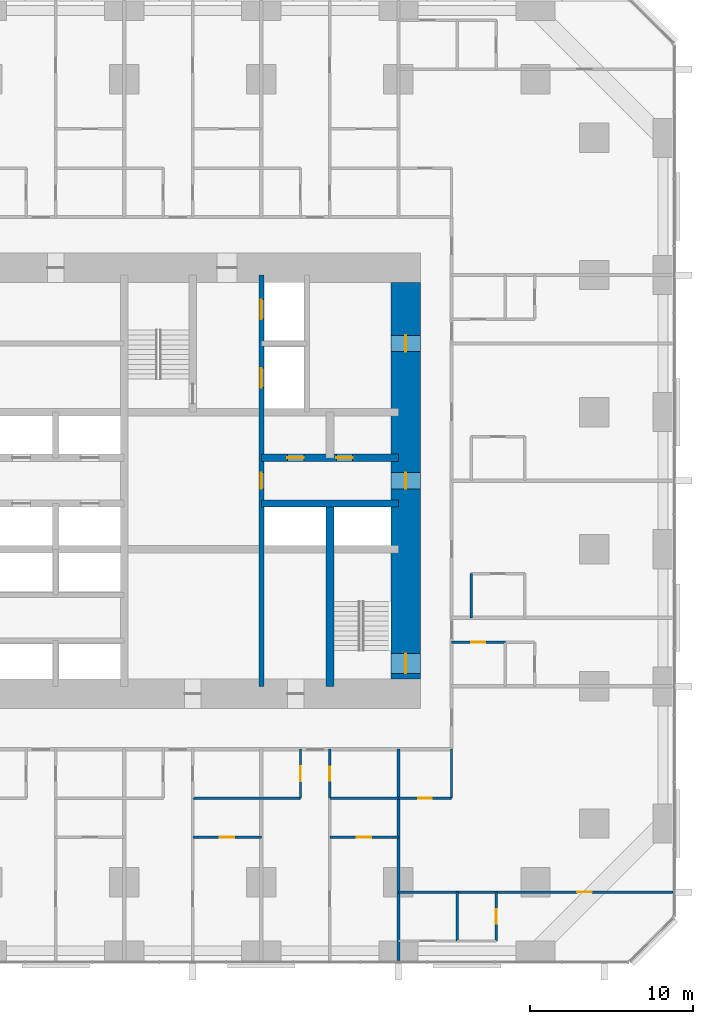
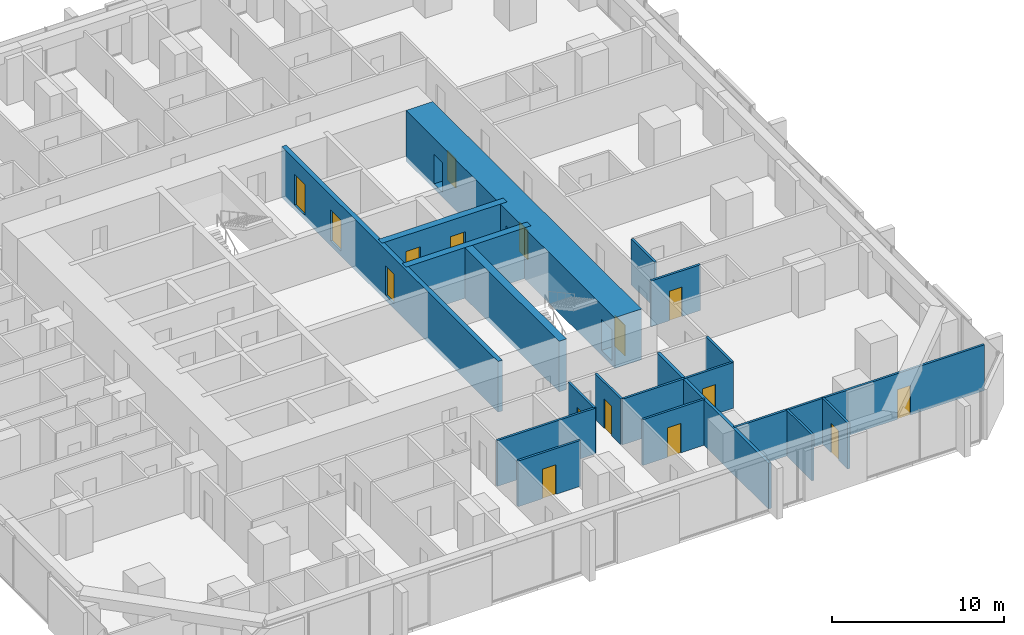
# One storey, part 13 of 17: 19 walls, 16 doors, 16 openings.
"""IFC4 building model written with IfcOpenShell, lengths in metres."""

from ifc_helpers import new_model, si_unit, direction, frame, frame_2d, origin, place, context, subcontext, project, spatial, rectangle, extrude, material, layer, layer_set, type_object, element, fill, save


model = new_model("IFC4")

# Units and contexts
model_context = context("Model", 3, precision=1e-05, world=origin(), true_north=direction((0.0, 1.0)))
body_context = subcontext(model_context, "Body", "Model", "MODEL_VIEW")
ifc_project = project(units=[si_unit("LENGTHUNIT", "METRE"), si_unit("AREAUNIT", "SQUARE_METRE"), si_unit("VOLUMEUNIT", "CUBIC_METRE"), si_unit("PLANEANGLEUNIT", "RADIAN"), si_unit("MASSUNIT", "GRAM", prefix="KILO")], contexts=[model_context])

# Site, building, storey
site_placement = place(None, origin())
site = spatial("IfcSite", under=ifc_project, at=site_placement, CompositionType="ELEMENT")
building_placement = place(site_placement, origin())
building = spatial("IfcBuilding", under=site, at=building_placement, Name="Dunama Terrace Hotel", CompositionType="ELEMENT")
storey_placement = place(building_placement, frame((0.0, 0.0, 45.0)))
storey = spatial("IfcBuildingStorey", under=building, at=storey_placement, Name="L10", CompositionType="ELEMENT", Elevation=45.0)

# Wall, opening, door
ifc_material_1 = material(Name="Gypsum board partition", Category="masonry")
ifc_layer_1 = layer(ifc_material_1, 0.14990234375)
ifc_layer_set_1 = layer_set([ifc_layer_1], Name="Bathroom partition 150")
wall_type_1 = type_object("IfcWallType", Name="Bathroom partition 150", PredefinedType="PARTITIONING", material=ifc_layer_set_1)
wall_1_placement = place(storey_placement, frame((37.800048828125, 9.949951171875, 0.0), z_axis=(0.0, 0.0, 1.0), x_axis=(0.0, 1.0, 0.0)))
wall_1 = element("IfcWall", 1, at=wall_1_placement, inside=storey, type_object=wall_type_1, Name="Bathroom partition 150 L10", PredefinedType="PARTITIONING", context=body_context, shape_type="SweptSolid", body=[
    extrude(rectangle(XDim=3.0, YDim=0.14990234375, at=frame_2d((1.5, 0.0))), origin(), (0.0, 0.0, 1.0), 3.25),
])
opening_1_placement = place(wall_1_placement, frame((1.074951171875, 0.0, 0.0)))
opening_1 = element("IfcOpeningElement", 2, at=opening_1_placement, cuts=wall_1, Name="Opening L10-11-021", PredefinedType="OPENING", context=body_context, shape_type="SweptSolid", body=[
    extrude(rectangle(XDim=0.85009765625, YDim=2.10009765625, at=frame_2d((0.425048828125, 1.050048828125))), frame((0.0, 0.0849609375, 0.0), z_axis=(0.0, -1.0, 0.0), x_axis=(1.0, 0.0, 0.0)), (0.0, 0.0, 1.0), 0.169921875),
])
ifc_material_2 = material(Name="Timber door with steel frame", Category="steel")
door_type_1 = type_object("IfcDoorType", Name="Bathroom door 850", OperationType="SINGLE_SWING_LEFT", PredefinedType="DOOR", material=ifc_material_2)
door_1_placement = place(opening_1_placement, frame((0.85009765625, 0.0, 0.0), z_axis=(0.0, 0.0, 1.0), x_axis=(-1.0, 0.0, 0.0)))
door_1 = element("IfcDoor", 3, at=door_1_placement, inside=storey, type_object=door_type_1, Name="Door to residence bathroom L10-11-021, type D2", OperationType="SINGLE_SWING_LEFT", OverallHeight=2.10009765625, OverallWidth=0.85009765625, PredefinedType="DOOR", context=body_context, shape_type="SweptSolid", body=[
    extrude(rectangle(XDim=0.85009765625, YDim=2.10009765625, at=frame_2d((0.425048828125, 1.050048828125))), frame((0.0, 0.025146484375, 0.0), z_axis=(0.0, -1.0, 0.0), x_axis=(1.0, 0.0, 0.0)), (0.0, 0.0, 1.0), 0.050048828125),
])
fill(opening_1, door_1)

# Walls
wall_2_placement = place(storey_placement, frame((45.25, 9.949951171875, 0.0), z_axis=(0.0, 0.0, 1.0), x_axis=(0.0, 1.0, 0.0)))
element("IfcWall", 4, at=wall_2_placement, inside=storey, type_object=wall_type_1, Name="Bathroom partition 150 L10", PredefinedType="PARTITIONING", context=body_context, shape_type="SweptSolid", body=[
    extrude(rectangle(XDim=3.0, YDim=0.14990234375, at=frame_2d((1.5, 0.0))), origin(), (0.0, 0.0, 1.0), 3.25),
])
wall_3_placement = place(storey_placement, frame((46.449951171875, 21.0, 0.0), z_axis=(0.0, 0.0, 1.0), x_axis=(0.0, 1.0, 0.0)))
element("IfcWall", 5, at=wall_3_placement, inside=storey, type_object=wall_type_1, Name="Bathroom partition 150 L10", PredefinedType="PARTITIONING", context=body_context, shape_type="SweptSolid", body=[
    extrude(rectangle(XDim=2.699951171875, YDim=0.14990234375, at=frame_2d((1.35009765625, 0.0))), origin(), (0.0, 0.0, 1.0), 3.25),
])

# Wall, opening, door
wall_4_placement = place(storey_placement, frame((42.0, 9.949951171875, 0.0), z_axis=(0.0, 0.0, 1.0), x_axis=(1.0, 0.0, 0.0)))
wall_4 = element("IfcWall", 6, at=wall_4_placement, inside=storey, type_object=wall_type_1, Name="Bathroom partition 150 L10", PredefinedType="PARTITIONING", context=body_context, shape_type="SweptSolid", body=[
    extrude(rectangle(XDim=3.25, YDim=0.14990234375, at=frame_2d((1.625, 0.0))), origin(), (0.0, 0.0, 1.0), 3.25),
])
opening_2_placement = place(wall_4_placement, frame((1.199951171875, 0.0, 0.0)))
opening_2 = element("IfcOpeningElement", 7, at=opening_2_placement, cuts=wall_4, Name="Opening L10-11-073", PredefinedType="OPENING", context=body_context, shape_type="SweptSolid", body=[
    extrude(rectangle(XDim=0.85009765625, YDim=2.10009765625, at=frame_2d((0.425048828125, 1.050048828125))), frame((0.0, 0.0849609375, 0.0), z_axis=(0.0, -1.0, 0.0), x_axis=(1.0, 0.0, 0.0)), (0.0, 0.0, 1.0), 0.169921875),
])
door_2_placement = place(opening_2_placement, origin())
door_2 = element("IfcDoor", 8, at=door_2_placement, inside=storey, type_object=door_type_1, Name="Door to powder room L10-11-073, type D2", OperationType="SINGLE_SWING_LEFT", OverallHeight=2.10009765625, OverallWidth=0.85009765625, PredefinedType="DOOR", context=body_context, shape_type="SweptSolid", body=[
    extrude(rectangle(XDim=0.85009765625, YDim=2.10009765625, at=frame_2d((0.425048828125, 1.050048828125))), frame((0.0, 0.02490234375, 0.0), z_axis=(0.0, -1.0, 0.0), x_axis=(1.0, 0.0, 0.0)), (0.0, 0.0, 1.0), 0.050048828125),
])
fill(opening_2, door_2)

wall_5_placement = place(storey_placement, frame((45.25, 19.5, 0.0), z_axis=(0.0, 0.0, 1.0), x_axis=(1.0, 0.0, 0.0)))
wall_5 = element("IfcWall", 9, at=wall_5_placement, inside=storey, type_object=wall_type_1, Name="Bathroom partition 150 L10", PredefinedType="PARTITIONING", context=body_context, shape_type="SweptSolid", body=[
    extrude(rectangle(XDim=3.300048828125, YDim=0.14990234375, at=frame_2d((1.64990234375, 0.0))), origin(), (0.0, 0.0, 1.0), 3.25),
])
opening_3_placement = place(wall_5_placement, frame((1.22509765625, 0.0, 0.0)))
opening_3 = element("IfcOpeningElement", 10, at=opening_3_placement, cuts=wall_5, Name="Opening L10-11-025", PredefinedType="OPENING", context=body_context, shape_type="SweptSolid", body=[
    extrude(rectangle(XDim=0.85009765625, YDim=2.10009765625, at=frame_2d((0.425048828125, 1.050048828125))), frame((0.0, 0.0849609375, 0.0), z_axis=(0.0, -1.0, 0.0), x_axis=(1.0, 0.0, 0.0)), (0.0, 0.0, 1.0), 0.169921875),
])
door_3_placement = place(opening_3_placement, frame((0.85009765625, 0.0, 0.0), z_axis=(0.0, 0.0, 1.0), x_axis=(-1.0, 0.0, 0.0)))
door_3 = element("IfcDoor", 11, at=door_3_placement, inside=storey, type_object=door_type_1, Name="Door to en-suite bathroom L10-11-025, type D2", OperationType="SINGLE_SWING_RIGHT", OverallHeight=2.10009765625, OverallWidth=0.85009765625, PredefinedType="DOOR", context=body_context, shape_type="SweptSolid", body=[
    extrude(rectangle(XDim=0.85009765625, YDim=2.10009765625, at=frame_2d((0.425048828125, 1.050048828125))), frame((0.0, 0.025146484375, 0.0), z_axis=(0.0, -1.0, 0.0), x_axis=(1.0, 0.0, 0.0)), (0.0, 0.0, 1.0), 0.050048828125),
])
fill(opening_3, door_3)

# Wall, openings, doors
ifc_material_3 = material(Name="Concrete C50/60", Category="concrete")
ifc_layer_2 = layer(ifc_material_3, 0.300048828125)
ifc_layer_set_2 = layer_set([ifc_layer_2], Name="Core inner wall 300")
wall_type_2 = type_object("IfcWallType", Name="Core inner wall 300", PredefinedType="SHEAR", material=ifc_layer_set_2)
wall_6_placement = place(storey_placement, frame((33.60009765625, 16.800048828125, -0.35009765625), z_axis=(0.0, 0.0, 1.0), x_axis=(0.0, 1.0, 0.0)))
wall_6 = element("IfcWall", 12, at=wall_6_placement, inside=storey, type_object=wall_type_2, Name="Core inner wall 300 L10", PredefinedType="SHEAR", context=body_context, shape_type="SweptSolid", body=[
    extrude(rectangle(XDim=25.199951171875, YDim=0.300048828125, at=frame_2d((12.60009765625, 0.0))), origin(), (0.0, 0.0, 1.0), 3.60009765625),
])
opening_4_placement = place(wall_6_placement, frame((22.5, 0.0, 0.35009765625)))
opening_4 = element("IfcOpeningElement", 13, at=opening_4_placement, cuts=wall_6, Name="Opening L10-11-007", PredefinedType="OPENING", context=body_context, shape_type="SweptSolid", body=[
    extrude(rectangle(XDim=1.199951171875, YDim=2.199951171875, at=frame_2d((0.60009765625, 1.10009765625))), frame((0.0, 0.159912109375, 0.0), z_axis=(0.0, -1.0, 0.0), x_axis=(1.0, 0.0, 0.0)), (0.0, 0.0, 1.0), 0.320068359375),
])
opening_5_placement = place(wall_6_placement, frame((18.300048828125, 0.0, 0.35009765625)))
opening_5 = element("IfcOpeningElement", 14, at=opening_5_placement, cuts=wall_6, Name="Opening L10-11-008", PredefinedType="OPENING", context=body_context, shape_type="SweptSolid", body=[
    extrude(rectangle(XDim=1.199951171875, YDim=2.199951171875, at=frame_2d((0.60009765625, 1.10009765625))), frame((0.0, 0.159912109375, 0.0), z_axis=(0.0, -1.0, 0.0), x_axis=(1.0, 0.0, 0.0)), (0.0, 0.0, 1.0), 0.320068359375),
])
opening_6_placement = place(wall_6_placement, frame((12.10009765625, 0.0, 0.35009765625)))
opening_6 = element("IfcOpeningElement", 15, at=opening_6_placement, cuts=wall_6, Name="Opening L10-11-091", PredefinedType="OPENING", context=body_context, shape_type="SweptSolid", body=[
    extrude(rectangle(XDim=1.0, YDim=2.10009765625, at=frame_2d((0.5, 1.050048828125))), frame((0.0, 0.159912109375, 0.0), z_axis=(0.0, -1.0, 0.0), x_axis=(1.0, 0.0, 0.0)), (0.0, 0.0, 1.0), 0.320068359375),
])
ifc_material_4 = material(Name="Stainless steel lift door", Category="steel")
door_type_2 = type_object("IfcDoorType", Name="Firefighting lift landing door 1200", OperationType="DOUBLE_DOOR_SLIDING", PredefinedType="DOOR", material=ifc_material_4)
door_4_placement = place(opening_4_placement, origin())
door_4 = element("IfcDoor", 16, at=door_4_placement, inside=storey, type_object=door_type_2, Name="Landing door FL1 L10-11-007, type LD2", OperationType="DOUBLE_DOOR_SLIDING", OverallHeight=2.199951171875, OverallWidth=1.199951171875, PredefinedType="DOOR", context=body_context, shape_type="SweptSolid", body=[
    extrude(rectangle(XDim=1.199951171875, YDim=2.199951171875, at=frame_2d((0.60009765625, 1.10009765625))), frame((0.0, 0.02490234375, 0.0), z_axis=(0.0, -1.0, 0.0), x_axis=(1.0, 0.0, 0.0)), (0.0, 0.0, 1.0), 0.050048828125),
])
fill(opening_4, door_4)
door_5_placement = place(opening_5_placement, origin())
door_5 = element("IfcDoor", 17, at=door_5_placement, inside=storey, type_object=door_type_2, Name="Landing door FL2 L10-11-008, type LD2", OperationType="DOUBLE_DOOR_SLIDING", OverallHeight=2.199951171875, OverallWidth=1.199951171875, PredefinedType="DOOR", context=body_context, shape_type="SweptSolid", body=[
    extrude(rectangle(XDim=1.199951171875, YDim=2.199951171875, at=frame_2d((0.60009765625, 1.10009765625))), frame((0.0, 0.02490234375, 0.0), z_axis=(0.0, -1.0, 0.0), x_axis=(1.0, 0.0, 0.0)), (0.0, 0.0, 1.0), 0.050048828125),
])
fill(opening_5, door_5)
ifc_material_5 = material(Name="Timber door with steel frame", Category="steel")
door_type_3 = type_object("IfcDoorType", Name="Service door 1000", OperationType="SINGLE_SWING_LEFT", PredefinedType="DOOR", material=ifc_material_5)
door_6_placement = place(opening_6_placement, origin())
door_6 = element("IfcDoor", 18, at=door_6_placement, inside=storey, type_object=door_type_3, Name="Door to linen and housekeeping room L10-11-091, type D7", OperationType="SINGLE_SWING_LEFT", OverallHeight=2.10009765625, OverallWidth=1.0, PredefinedType="DOOR", context=body_context, shape_type="SweptSolid", body=[
    extrude(rectangle(XDim=1.0, YDim=2.10009765625, at=frame_2d((0.5, 1.050048828125))), frame((0.0, 0.02490234375, 0.0), z_axis=(0.0, -1.0, 0.0), x_axis=(1.0, 0.0, 0.0)), (0.0, 0.0, 1.0), 0.050048828125),
])
fill(opening_6, door_6)

# Wall
ifc_material_6 = material(Name="Concrete C50/60", Category="concrete")
ifc_layer_3 = layer(ifc_material_6, 0.449951171875)
ifc_layer_set_3 = layer_set([ifc_layer_3], Name="Core inner wall 450")
wall_type_3 = type_object("IfcWallType", Name="Core inner wall 450", PredefinedType="SHEAR", material=ifc_layer_set_3)
wall_7_placement = place(storey_placement, frame((33.60009765625, 28.0, -0.35009765625), z_axis=(0.0, 0.0, 1.0), x_axis=(1.0, 0.0, 0.0)))
element("IfcWall", 19, at=wall_7_placement, inside=storey, type_object=wall_type_3, Name="Core inner wall 450 L10", PredefinedType="SHEAR", context=body_context, shape_type="SweptSolid", body=[
    extrude(rectangle(XDim=8.39990234375, YDim=0.449951171875, at=frame_2d((4.199951171875, 0.0))), origin(), (0.0, 0.0, 1.0), 3.60009765625),
])

# Wall, openings, doors
wall_8_placement = place(storey_placement, frame((33.60009765625, 30.800048828125, -0.35009765625), z_axis=(0.0, 0.0, 1.0), x_axis=(1.0, 0.0, 0.0)))
wall_8 = element("IfcWall", 20, at=wall_8_placement, inside=storey, type_object=wall_type_3, Name="Core inner wall 450 L10", PredefinedType="SHEAR", context=body_context, shape_type="SweptSolid", body=[
    extrude(rectangle(XDim=8.39990234375, YDim=0.449951171875, at=frame_2d((4.199951171875, 0.0))), origin(), (0.0, 0.0, 1.0), 3.60009765625),
])
opening_7_placement = place(wall_8_placement, frame((1.60009765625, 0.0, 0.35009765625)))
opening_7 = element("IfcOpeningElement", 21, at=opening_7_placement, cuts=wall_8, Name="Opening L10-11-092", PredefinedType="OPENING", context=body_context, shape_type="SweptSolid", body=[
    extrude(rectangle(XDim=1.0, YDim=2.10009765625, at=frame_2d((0.5, 1.050048828125))), frame((0.0, 0.23486328125, 0.0), z_axis=(0.0, -1.0, 0.0), x_axis=(1.0, 0.0, 0.0)), (0.0, 0.0, 1.0), 0.469970703125),
])
opening_8_placement = place(wall_8_placement, frame((4.60009765625, 0.0, 0.35009765625)))
opening_8 = element("IfcOpeningElement", 22, at=opening_8_placement, cuts=wall_8, Name="Opening L10-11-093", PredefinedType="OPENING", context=body_context, shape_type="SweptSolid", body=[
    extrude(rectangle(XDim=1.0, YDim=2.10009765625, at=frame_2d((0.5, 1.050048828125))), frame((0.0, 0.23486328125, 0.0), z_axis=(0.0, -1.0, 0.0), x_axis=(1.0, 0.0, 0.0)), (0.0, 0.0, 1.0), 0.469970703125),
])
door_7_placement = place(opening_7_placement, origin())
door_7 = element("IfcDoor", 23, at=door_7_placement, inside=storey, type_object=door_type_3, Name="Door to service riser L10-11-092, type D7", OperationType="SINGLE_SWING_RIGHT", OverallHeight=2.10009765625, OverallWidth=1.0, PredefinedType="DOOR", context=body_context, shape_type="SweptSolid", body=[
    extrude(rectangle(XDim=1.0, YDim=2.10009765625, at=frame_2d((0.5, 1.050048828125))), frame((0.0, 0.02490234375, 0.0), z_axis=(0.0, -1.0, 0.0), x_axis=(1.0, 0.0, 0.0)), (0.0, 0.0, 1.0), 0.050048828125),
])
fill(opening_7, door_7)
door_8_placement = place(opening_8_placement, origin())
door_8 = element("IfcDoor", 24, at=door_8_placement, inside=storey, type_object=door_type_3, Name="Door to cleaners store L10-11-093, type D7", OperationType="SINGLE_SWING_LEFT", OverallHeight=2.10009765625, OverallWidth=1.0, PredefinedType="DOOR", context=body_context, shape_type="SweptSolid", body=[
    extrude(rectangle(XDim=1.0, YDim=2.10009765625, at=frame_2d((0.5, 1.050048828125))), frame((0.0, 0.02490234375, 0.0), z_axis=(0.0, -1.0, 0.0), x_axis=(1.0, 0.0, 0.0)), (0.0, 0.0, 1.0), 0.050048828125),
])
fill(opening_8, door_8)

# Wall
ifc_material_7 = material(Name="Concrete C50/60", Category="concrete")
ifc_layer_4 = layer(ifc_material_7, 0.5)
ifc_layer_set_4 = layer_set([ifc_layer_4], Name="Core inner wall 500")
wall_type_4 = type_object("IfcWallType", Name="Core inner wall 500", PredefinedType="SHEAR", material=ifc_layer_set_4)
wall_9_placement = place(storey_placement, frame((37.800048828125, 16.800048828125, -0.35009765625), z_axis=(0.0, 0.0, 1.0), x_axis=(0.0, 1.0, 0.0)))
element("IfcWall", 25, at=wall_9_placement, inside=storey, type_object=wall_type_4, Name="Core inner wall 500 L10", PredefinedType="SHEAR", context=body_context, shape_type="SweptSolid", body=[
    extrude(rectangle(XDim=11.199951171875, YDim=0.5, at=frame_2d((5.60009765625, 0.0))), origin(), (0.0, 0.0, 1.0), 3.60009765625),
])

# Wall, openings, doors
ifc_material_8 = material(Name="Concrete C60/75", Category="concrete")
ifc_layer_5 = layer(ifc_material_8, 1.800048828125)
ifc_layer_set_5 = layer_set([ifc_layer_5], Name="Core wall 1800")
wall_type_5 = type_object("IfcWallType", Name="Core wall 1800", PredefinedType="SHEAR", material=ifc_layer_set_5)
wall_10_placement = place(storey_placement, frame((42.449951171875, 17.25, -0.35009765625), z_axis=(0.0, 0.0, 1.0), x_axis=(0.0, 1.0, 0.0)))
wall_10 = element("IfcWall", 26, at=wall_10_placement, inside=storey, type_object=wall_type_5, Name="Core wall east L10", PredefinedType="SHEAR", context=body_context, shape_type="SweptSolid", body=[
    extrude(rectangle(XDim=24.300048828125, YDim=1.800048828125, at=frame_2d((12.14990234375, 0.0))), origin(), (0.0, 0.0, 1.0), 3.60009765625),
])
opening_9_placement = place(wall_10_placement, frame((0.35009765625, 0.0, 0.35009765625)))
opening_9 = element("IfcOpeningElement", 27, at=opening_9_placement, cuts=wall_10, Name="Opening L10-11-002", PredefinedType="OPENING", context=body_context, shape_type="SweptSolid", body=[
    extrude(rectangle(XDim=1.199951171875, YDim=2.199951171875, at=frame_2d((0.60009765625, 1.10009765625))), frame((0.0, 0.909912109375, 0.0), z_axis=(0.0, -1.0, 0.0), x_axis=(1.0, 0.0, 0.0)), (0.0, 0.0, 1.0), 1.820068359375),
])
opening_10_placement = place(wall_10_placement, frame((11.64990234375, 0.0, 0.35009765625)))
opening_10 = element("IfcOpeningElement", 28, at=opening_10_placement, cuts=wall_10, Name="Opening L10-11-094", PredefinedType="OPENING", context=body_context, shape_type="SweptSolid", body=[
    extrude(rectangle(XDim=1.0, YDim=2.10009765625, at=frame_2d((0.5, 1.050048828125))), frame((0.0, 0.909912109375, 0.0), z_axis=(0.0, -1.0, 0.0), x_axis=(1.0, 0.0, 0.0)), (0.0, 0.0, 1.0), 1.820068359375),
])
opening_11_placement = place(wall_10_placement, frame((20.050048828125, 0.0, 0.35009765625)))
opening_11 = element("IfcOpeningElement", 29, at=opening_11_placement, cuts=wall_10, Name="Opening L10-11-096", PredefinedType="OPENING", context=body_context, shape_type="SweptSolid", body=[
    extrude(rectangle(XDim=1.0, YDim=2.10009765625, at=frame_2d((0.5, 1.050048828125))), frame((0.0, 0.909912109375, 0.0), z_axis=(0.0, -1.0, 0.0), x_axis=(1.0, 0.0, 0.0)), (0.0, 0.0, 1.0), 1.820068359375),
])
door_9_placement = place(opening_10_placement, origin())
door_9 = element("IfcDoor", 30, at=door_9_placement, inside=storey, type_object=door_type_3, Name="Door to service lobby L10-11-094, type D7", OperationType="SINGLE_SWING_LEFT", OverallHeight=2.10009765625, OverallWidth=1.0, PredefinedType="DOOR", context=body_context, shape_type="SweptSolid", body=[
    extrude(rectangle(XDim=1.0, YDim=2.10009765625, at=frame_2d((0.5, 1.050048828125))), frame((0.0, 0.02490234375, 0.0), z_axis=(0.0, -1.0, 0.0), x_axis=(1.0, 0.0, 0.0)), (0.0, 0.0, 1.0), 0.050048828125),
])
fill(opening_10, door_9)
door_10_placement = place(opening_11_placement, origin())
door_10 = element("IfcDoor", 31, at=door_10_placement, inside=storey, type_object=door_type_3, Name="Door to housekeeping store L10-11-096, type D7", OperationType="SINGLE_SWING_LEFT", OverallHeight=2.10009765625, OverallWidth=1.0, PredefinedType="DOOR", context=body_context, shape_type="SweptSolid", body=[
    extrude(rectangle(XDim=1.0, YDim=2.10009765625, at=frame_2d((0.5, 1.050048828125))), frame((0.0, 0.02490234375, 0.0), z_axis=(0.0, -1.0, 0.0), x_axis=(1.0, 0.0, 0.0)), (0.0, 0.0, 1.0), 0.050048828125),
])
fill(opening_11, door_10)
ifc_material_9 = material(Name="Timber door with steel frame", Category="steel")
door_type_4 = type_object("IfcDoorType", Name="Stair door 1200", OperationType="SINGLE_SWING_LEFT", PredefinedType="DOOR", material=ifc_material_9)
door_11_placement = place(opening_9_placement, origin())
door_11 = element("IfcDoor", 32, at=door_11_placement, inside=storey, type_object=door_type_4, Name="Stair door ST2 L10-11-002, type D5", OperationType="SINGLE_SWING_LEFT", OverallHeight=2.199951171875, OverallWidth=1.199951171875, PredefinedType="DOOR", context=body_context, shape_type="SweptSolid", body=[
    extrude(rectangle(XDim=1.199951171875, YDim=2.199951171875, at=frame_2d((0.60009765625, 1.10009765625))), frame((0.0, 0.02490234375, 0.0), z_axis=(0.0, -1.0, 0.0), x_axis=(1.0, 0.0, 0.0)), (0.0, 0.0, 1.0), 0.050048828125),
])
fill(opening_9, door_11)

# Wall
ifc_material_10 = material(Name="Concrete blockwork", Category="masonry")
ifc_layer_6 = layer(ifc_material_10, 0.199951171875)
ifc_layer_set_6 = layer_set([ifc_layer_6], Name="Party wall 200")
wall_type_6 = type_object("IfcWallType", Name="Party wall 200", PredefinedType="PARTITIONING", material=ifc_layer_set_6)
wall_11_placement = place(storey_placement, frame((42.0, -0.008056640625, 0.0), z_axis=(0.0, 0.0, 1.0), x_axis=(0.0, 1.0, 0.0)))
element("IfcWall", 33, at=wall_11_placement, inside=storey, type_object=wall_type_6, Name="Party wall 200 L10", PredefinedType="PARTITIONING", context=body_context, shape_type="SweptSolid", body=[
    extrude(rectangle(XDim=12.9580078125, YDim=0.199951171875, at=frame_2d((6.47900390625, 0.0))), origin(), (0.0, 0.0, 1.0), 3.25),
])

# Wall, opening, door
ifc_material_11 = material(Name="Gypsum board partition", Category="masonry")
ifc_layer_7 = layer(ifc_material_11, 0.14990234375)
ifc_layer_set_7 = layer_set([ifc_layer_7], Name="Room partition 150")
wall_type_7 = type_object("IfcWallType", Name="Room partition 150", PredefinedType="PARTITIONING", material=ifc_layer_set_7)
wall_12_placement = place(storey_placement, frame((36.0, 9.949951171875, 0.0), z_axis=(0.0, 0.0, 1.0), x_axis=(0.0, 1.0, 0.0)))
wall_12 = element("IfcWall", 34, at=wall_12_placement, inside=storey, type_object=wall_type_7, Name="Room partition 150 L10", PredefinedType="PARTITIONING", context=body_context, shape_type="SweptSolid", body=[
    extrude(rectangle(XDim=3.0, YDim=0.14990234375, at=frame_2d((1.5, 0.0))), origin(), (0.0, 0.0, 1.0), 3.25),
])
opening_12_placement = place(wall_12_placement, frame((1.050048828125, 0.0, 0.0)))
opening_12 = element("IfcOpeningElement", 35, at=opening_12_placement, cuts=wall_12, Name="Opening L10-11-020", PredefinedType="OPENING", context=body_context, shape_type="SweptSolid", body=[
    extrude(rectangle(XDim=0.89990234375, YDim=2.10009765625, at=frame_2d((0.449951171875, 1.050048828125))), frame((0.0, 0.0849609375, 0.0), z_axis=(0.0, -1.0, 0.0), x_axis=(1.0, 0.0, 0.0)), (0.0, 0.0, 1.0), 0.169921875),
])
ifc_material_12 = material(Name="Timber door with steel frame", Category="steel")
door_type_5 = type_object("IfcDoorType", Name="Suite internal door 900", OperationType="SINGLE_SWING_LEFT", PredefinedType="DOOR", material=ifc_material_12)
door_12_placement = place(opening_12_placement, origin())
door_12 = element("IfcDoor", 36, at=door_12_placement, inside=storey, type_object=door_type_5, Name="Door to residence kitchen L10-11-020, type D16", OperationType="SINGLE_SWING_RIGHT", OverallHeight=2.10009765625, OverallWidth=0.89990234375, PredefinedType="DOOR", context=body_context, shape_type="SweptSolid", body=[
    extrude(rectangle(XDim=0.89990234375, YDim=2.10009765625, at=frame_2d((0.449951171875, 1.050048828125))), frame((0.0, 0.02490234375, 0.0), z_axis=(0.0, -1.0, 0.0), x_axis=(1.0, 0.0, 0.0)), (0.0, 0.0, 1.0), 0.050048828125),
])
fill(opening_12, door_12)

# Wall
wall_13_placement = place(storey_placement, frame((45.60009765625, 1.199951171875, 0.0), z_axis=(0.0, 0.0, 1.0), x_axis=(0.0, 1.0, 0.0)))
element("IfcWall", 37, at=wall_13_placement, inside=storey, type_object=wall_type_7, Name="Room partition 150 L10", PredefinedType="PARTITIONING", context=body_context, shape_type="SweptSolid", body=[
    extrude(rectangle(XDim=3.0, YDim=0.14990234375, at=frame_2d((1.5, 0.0))), origin(), (0.0, 0.0, 1.0), 3.25),
])

# Wall, opening, door
wall_14_placement = place(storey_placement, frame((48.0, 1.199951171875, 0.0), z_axis=(0.0, 0.0, 1.0), x_axis=(0.0, 1.0, 0.0)))
wall_14 = element("IfcWall", 38, at=wall_14_placement, inside=storey, type_object=wall_type_7, Name="Room partition 150 L10", PredefinedType="PARTITIONING", context=body_context, shape_type="SweptSolid", body=[
    extrude(rectangle(XDim=3.0, YDim=0.14990234375, at=frame_2d((1.5, 0.0))), origin(), (0.0, 0.0, 1.0), 3.25),
])
opening_13_placement = place(wall_14_placement, frame((1.050048828125, 0.0, 0.0)))
opening_13 = element("IfcOpeningElement", 39, at=opening_13_placement, cuts=wall_14, Name="Opening L10-11-076", PredefinedType="OPENING", context=body_context, shape_type="SweptSolid", body=[
    extrude(rectangle(XDim=0.89990234375, YDim=2.10009765625, at=frame_2d((0.449951171875, 1.050048828125))), frame((0.0, 0.0849609375, 0.0), z_axis=(0.0, -1.0, 0.0), x_axis=(1.0, 0.0, 0.0)), (0.0, 0.0, 1.0), 0.169921875),
])
door_13_placement = place(opening_13_placement, origin())
door_13 = element("IfcDoor", 40, at=door_13_placement, inside=storey, type_object=door_type_5, Name="Door to dressing room L10-11-076, type D16", OperationType="SINGLE_SWING_LEFT", OverallHeight=2.10009765625, OverallWidth=0.89990234375, PredefinedType="DOOR", context=body_context, shape_type="SweptSolid", body=[
    extrude(rectangle(XDim=0.89990234375, YDim=2.10009765625, at=frame_2d((0.449951171875, 1.050048828125))), frame((0.0, 0.02490234375, 0.0), z_axis=(0.0, -1.0, 0.0), x_axis=(1.0, 0.0, 0.0)), (0.0, 0.0, 1.0), 0.050048828125),
])
fill(opening_13, door_13)

wall_15_placement = place(storey_placement, frame((42.0, 4.199951171875, 0.0), z_axis=(0.0, 0.0, 1.0), x_axis=(1.0, 0.0, 0.0)))
wall_15 = element("IfcWall", 41, at=wall_15_placement, inside=storey, type_object=wall_type_7, Name="Room partition 150 L10", PredefinedType="PARTITIONING", context=body_context, shape_type="SweptSolid", body=[
    extrude(rectangle(XDim=16.80810546875, YDim=0.14990234375, at=frame_2d((8.404052734375, 0.0))), origin(), (0.0, 0.0, 1.0), 3.25),
])
opening_14_placement = place(wall_15_placement, frame((10.949951171875, 0.0, 0.0)))
opening_14 = element("IfcOpeningElement", 42, at=opening_14_placement, cuts=wall_15, Name="Opening L10-11-074", PredefinedType="OPENING", context=body_context, shape_type="SweptSolid", body=[
    extrude(rectangle(XDim=0.89990234375, YDim=2.10009765625, at=frame_2d((0.449951171875, 1.050048828125))), frame((0.0, 0.0849609375, 0.0), z_axis=(0.0, -1.0, 0.0), x_axis=(1.0, 0.0, 0.0)), (0.0, 0.0, 1.0), 0.169921875),
])
door_14_placement = place(opening_14_placement, frame((0.89990234375, 0.0, 0.0), z_axis=(0.0, 0.0, 1.0), x_axis=(-1.0, 0.0, 0.0)))
door_14 = element("IfcDoor", 43, at=door_14_placement, inside=storey, type_object=door_type_5, Name="Door to corner suite bedroom L10-11-074, type D16", OperationType="SINGLE_SWING_RIGHT", OverallHeight=2.10009765625, OverallWidth=0.89990234375, PredefinedType="DOOR", context=body_context, shape_type="SweptSolid", body=[
    extrude(rectangle(XDim=0.89990234375, YDim=2.10009765625, at=frame_2d((0.449951171875, 1.050048828125))), frame((0.0, 0.025146484375, 0.0), z_axis=(0.0, -1.0, 0.0), x_axis=(1.0, 0.0, 0.0)), (0.0, 0.0, 1.0), 0.050048828125),
])
fill(opening_14, door_14)

wall_16_placement = place(storey_placement, frame((29.39990234375, 7.550048828125, 0.0), z_axis=(0.0, 0.0, 1.0), x_axis=(1.0, 0.0, 0.0)))
wall_16 = element("IfcWall", 44, at=wall_16_placement, inside=storey, type_object=wall_type_7, Name="Room partition 150 L10", PredefinedType="PARTITIONING", context=body_context, shape_type="SweptSolid", body=[
    extrude(rectangle(XDim=4.2001953125, YDim=0.14990234375, at=frame_2d((2.10009765625, 0.0))), origin(), (0.0, 0.0, 1.0), 3.25),
])
opening_15_placement = place(wall_16_placement, frame((1.64990234375, 0.0, 0.0)))
opening_15 = element("IfcOpeningElement", 45, at=opening_15_placement, cuts=wall_16, Name="Opening L10-11-017", PredefinedType="OPENING", context=body_context, shape_type="SweptSolid", body=[
    extrude(rectangle(XDim=0.89990234375, YDim=2.10009765625, at=frame_2d((0.449951171875, 1.050048828125))), frame((0.0, 0.0849609375, 0.0), z_axis=(0.0, -1.0, 0.0), x_axis=(1.0, 0.0, 0.0)), (0.0, 0.0, 1.0), 0.169921875),
])
door_15_placement = place(opening_15_placement, origin())
door_15 = element("IfcDoor", 46, at=door_15_placement, inside=storey, type_object=door_type_5, Name="Door to walk-in wardrobe L10-11-017, type D16", OperationType="SINGLE_SWING_LEFT", OverallHeight=2.10009765625, OverallWidth=0.89990234375, PredefinedType="DOOR", context=body_context, shape_type="SweptSolid", body=[
    extrude(rectangle(XDim=0.89990234375, YDim=2.10009765625, at=frame_2d((0.449951171875, 1.050048828125))), frame((0.0, 0.02490234375, 0.0), z_axis=(0.0, -1.0, 0.0), x_axis=(1.0, 0.0, 0.0)), (0.0, 0.0, 1.0), 0.050048828125),
])
fill(opening_15, door_15)

wall_17_placement = place(storey_placement, frame((37.800048828125, 7.550048828125, 0.0), z_axis=(0.0, 0.0, 1.0), x_axis=(1.0, 0.0, 0.0)))
wall_17 = element("IfcWall", 47, at=wall_17_placement, inside=storey, type_object=wall_type_7, Name="Room partition 150 L10", PredefinedType="PARTITIONING", context=body_context, shape_type="SweptSolid", body=[
    extrude(rectangle(XDim=4.199951171875, YDim=0.14990234375, at=frame_2d((2.10009765625, 0.0))), origin(), (0.0, 0.0, 1.0), 3.25),
])
opening_16_placement = place(wall_17_placement, frame((1.64990234375, 0.0, 0.0)))
opening_16 = element("IfcOpeningElement", 48, at=opening_16_placement, cuts=wall_17, Name="Opening L10-11-022", PredefinedType="OPENING", context=body_context, shape_type="SweptSolid", body=[
    extrude(rectangle(XDim=0.89990234375, YDim=2.10009765625, at=frame_2d((0.449951171875, 1.050048828125))), frame((0.0, 0.0849609375, 0.0), z_axis=(0.0, -1.0, 0.0), x_axis=(1.0, 0.0, 0.0)), (0.0, 0.0, 1.0), 0.169921875),
])
door_16_placement = place(opening_16_placement, origin())
door_16 = element("IfcDoor", 49, at=door_16_placement, inside=storey, type_object=door_type_5, Name="Door to walk-in wardrobe L10-11-022, type D16", OperationType="SINGLE_SWING_LEFT", OverallHeight=2.10009765625, OverallWidth=0.89990234375, PredefinedType="DOOR", context=body_context, shape_type="SweptSolid", body=[
    extrude(rectangle(XDim=0.89990234375, YDim=2.10009765625, at=frame_2d((0.449951171875, 1.050048828125))), frame((0.0, 0.02490234375, 0.0), z_axis=(0.0, -1.0, 0.0), x_axis=(1.0, 0.0, 0.0)), (0.0, 0.0, 1.0), 0.050048828125),
])
fill(opening_16, door_16)

# Walls
wall_18_placement = place(storey_placement, frame((29.39990234375, 9.949951171875, 0.0), z_axis=(0.0, 0.0, 1.0), x_axis=(1.0, 0.0, 0.0)))
element("IfcWall", 50, at=wall_18_placement, inside=storey, type_object=wall_type_7, Name="Room partition 150 L10", PredefinedType="PARTITIONING", context=body_context, shape_type="SweptSolid", body=[
    extrude(rectangle(XDim=6.60009765625, YDim=0.14990234375, at=frame_2d((3.300048828125, 0.0))), origin(), (0.0, 0.0, 1.0), 3.25),
])
wall_19_placement = place(storey_placement, frame((37.800048828125, 9.949951171875, 0.0), z_axis=(0.0, 0.0, 1.0), x_axis=(1.0, 0.0, 0.0)))
element("IfcWall", 51, at=wall_19_placement, inside=storey, type_object=wall_type_7, Name="Room partition 150 L10", PredefinedType="PARTITIONING", context=body_context, shape_type="SweptSolid", body=[
    extrude(rectangle(XDim=4.199951171875, YDim=0.14990234375, at=frame_2d((2.10009765625, 0.0))), origin(), (0.0, 0.0, 1.0), 3.25),
])

save(model, "model.ifc")
